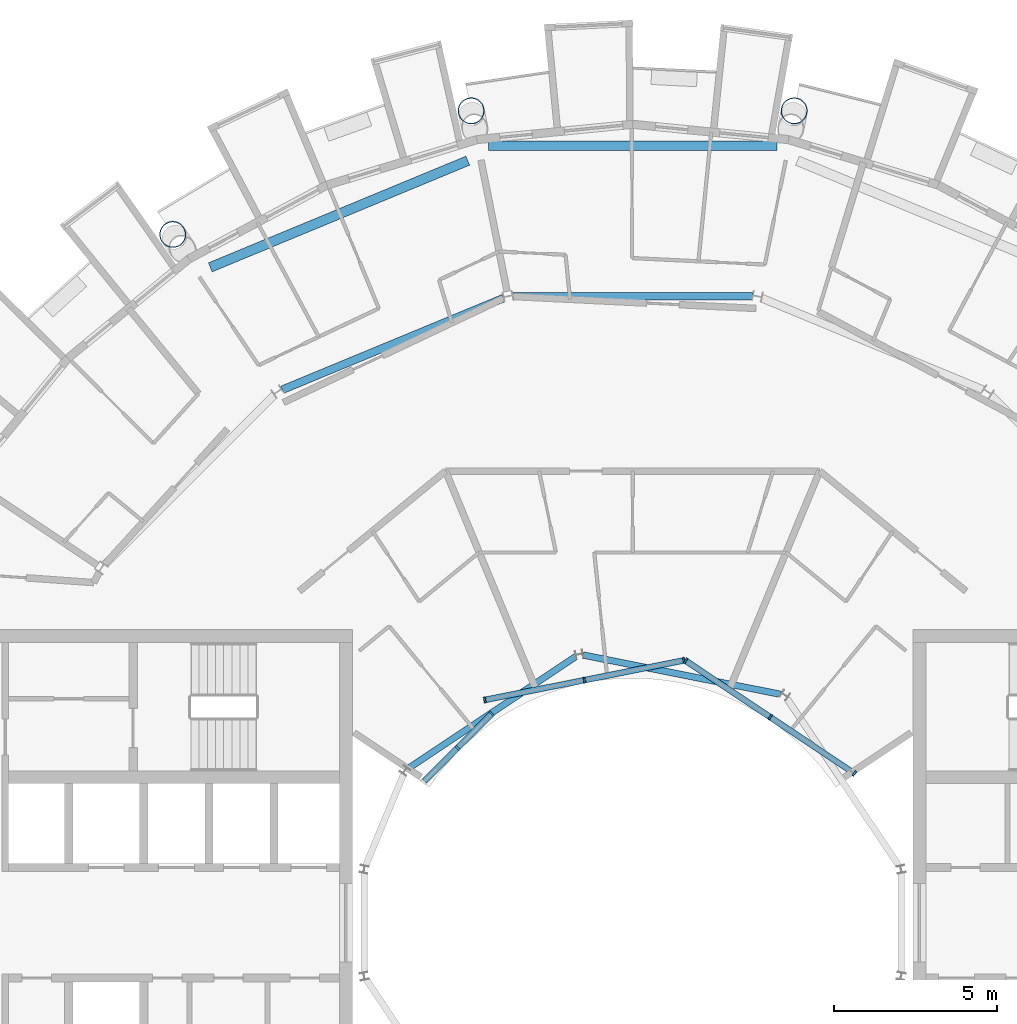
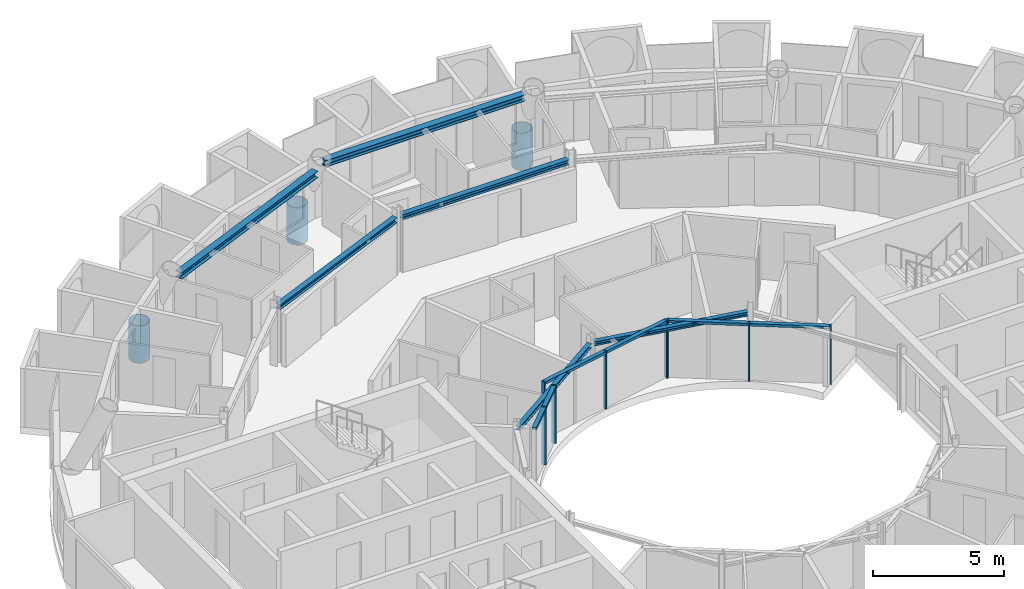
# One storey, part 9 of 27: 17 members, 6 beams, 3 elements without a shape of their own.
"""IFC4 building model written with IfcOpenShell, lengths in metres."""

from ifc_helpers import new_model, si_unit, direction, frame, origin, origin_2d, place, context, subcontext, project, spatial, rectangle, hollow_circle, i_section, extrude, material, layer, layer_set, material_profile, profile_set, type_object, element, aggregate, save


model = new_model("IFC4")

# Units and contexts
model_context = context("Model", 3, precision=1e-05, world=origin(), true_north=direction((0.0, 1.0)))
body_context = subcontext(model_context, "Body", "Model", "MODEL_VIEW")
ifc_project = project(units=[si_unit("LENGTHUNIT", "METRE"), si_unit("AREAUNIT", "SQUARE_METRE"), si_unit("VOLUMEUNIT", "CUBIC_METRE"), si_unit("PLANEANGLEUNIT", "RADIAN"), si_unit("MASSUNIT", "GRAM", prefix="KILO")], contexts=[model_context])

# Site, building, storey
site_placement = place(None, origin())
site = spatial("IfcSite", under=ifc_project, at=site_placement, CompositionType="ELEMENT")
building_placement = place(site_placement, origin())
building = spatial("IfcBuilding", under=site, at=building_placement, Name="Maasbend Ring Residences", CompositionType="ELEMENT")
storey_placement = place(building_placement, frame((0.0, 0.0, 243.199951171875)))
storey = spatial("IfcBuildingStorey", under=building, at=storey_placement, Name="L70", CompositionType="ELEMENT", Elevation=243.199951171875)

# Curtain wall, members
ifc_material_1 = material(Name="Aluminium and clear glass", Category="aluminium")
ifc_layer = layer(ifc_material_1, 0.179931640625)
ifc_layer_set = layer_set([ifc_layer], Name="CW-W")
curtain_wall_type = type_object("IfcCurtainWallType", Name="CW-W", PredefinedType="NOTDEFINED", material=ifc_layer_set)
curtain_wall_1_placement = place(storey_placement, origin())
curtain_wall_1 = element("IfcCurtainWall", 1, at=curtain_wall_1_placement, inside=storey, type_object=curtain_wall_type, Name="Well curtain wall N1", PredefinedType="NOTDEFINED")
ifc_material_2 = material(Name="Aluminium 6063-T6", Category="aluminium")
ifc_material_profile_1 = material_profile(ifc_material_2, rectangle(XDim=0.179931640625, YDim=0.06005859375, at=origin_2d()), Name="AL 180x60")
ifc_profile_set_1 = profile_set([ifc_material_profile_1], Name="Aluminium 6063-T6")
member_type_1 = type_object("IfcMemberType", Name="CWM-W", PredefinedType="MULLION", material=ifc_profile_set_1)
member_1_placement = place(storey_placement, frame((6.805908203125, 4.580810546875, 0.0), z_axis=(0.0, 0.0, 1.0), x_axis=(-0.55557023302, -0.831469612303, 0.0)))
member_1 = element("IfcMember", 2, at=member_1_placement, type_object=member_type_1, Name="Mullion well face", PredefinedType="MULLION", context=body_context, shape_type="SweptSolid", body=[
    extrude(rectangle(XDim=0.179931640625, YDim=0.06005859375, at=origin_2d()), origin(), (0.0, 0.0, 1.0), 2.699951171875),
])
member_2_placement = place(storey_placement, frame((4.216796875, 6.310791015625, 0.0), z_axis=(0.0, 0.0, 1.0), x_axis=(-0.55557023302, -0.831469612303, 0.0)))
member_2 = element("IfcMember", 3, at=member_2_placement, type_object=member_type_1, Name="Mullion well face", PredefinedType="MULLION", context=body_context, shape_type="SweptSolid", body=[
    extrude(rectangle(XDim=0.179931640625, YDim=0.06005859375, at=origin_2d()), origin(), (0.0, 0.0, 1.0), 2.699951171875),
])
member_3_placement = place(storey_placement, frame((1.627685546875, 8.040771484375, 0.0), z_axis=(0.0, 0.0, 1.0), x_axis=(-0.55557023302, -0.831469612303, 0.0)))
member_3 = element("IfcMember", 4, at=member_3_placement, type_object=member_type_1, Name="Mullion well face", PredefinedType="MULLION", context=body_context, shape_type="SweptSolid", body=[
    extrude(rectangle(XDim=0.179931640625, YDim=0.06005859375, at=origin_2d()), origin(), (0.0, 0.0, 1.0), 2.699951171875),
])

curtain_wall_2_placement = place(storey_placement, origin())
curtain_wall_2 = element("IfcCurtainWall", 5, at=curtain_wall_2_placement, inside=storey, type_object=curtain_wall_type, Name="Well curtain wall N2", PredefinedType="NOTDEFINED")
member_4_placement = place(storey_placement, frame((1.5732421875, 8.0517578125, 0.0), z_axis=(0.0, 0.0, 1.0), x_axis=(0.195090322016, -0.980785280403, 0.0)))
member_4 = element("IfcMember", 6, at=member_4_placement, type_object=member_type_1, Name="Mullion well face", PredefinedType="MULLION", context=body_context, shape_type="SweptSolid", body=[
    extrude(rectangle(XDim=0.179931640625, YDim=0.06005859375, at=origin_2d()), origin(), (0.0, 0.0, 1.0), 2.699951171875),
])
member_5_placement = place(storey_placement, frame((-1.480712890625, 7.444091796875, 0.0), z_axis=(0.0, 0.0, 1.0), x_axis=(0.195090322016, -0.980785280403, 0.0)))
member_5 = element("IfcMember", 7, at=member_5_placement, type_object=member_type_1, Name="Mullion well face", PredefinedType="MULLION", context=body_context, shape_type="SweptSolid", body=[
    extrude(rectangle(XDim=0.179931640625, YDim=0.06005859375, at=origin_2d()), origin(), (0.0, 0.0, 1.0), 2.699951171875),
])
member_6_placement = place(storey_placement, frame((-4.53466796875, 6.836669921875, 0.0), z_axis=(0.0, 0.0, 1.0), x_axis=(0.195090322016, -0.980785280403, 0.0)))
member_6 = element("IfcMember", 8, at=member_6_placement, type_object=member_type_1, Name="Mullion well face", PredefinedType="MULLION", context=body_context, shape_type="SweptSolid", body=[
    extrude(rectangle(XDim=0.179931640625, YDim=0.06005859375, at=origin_2d()), origin(), (0.0, 0.0, 1.0), 2.699951171875),
])

curtain_wall_3_placement = place(storey_placement, origin())
curtain_wall_3 = element("IfcCurtainWall", 9, at=curtain_wall_3_placement, inside=storey, type_object=curtain_wall_type, Name="Well curtain wall N3", PredefinedType="NOTDEFINED")
member_7_placement = place(storey_placement, frame((-4.320556640625, 6.413330078125, 0.0), z_axis=(0.0, 0.0, 1.0), x_axis=(0.707106781187, -0.707106781187, 0.0)))
member_7 = element("IfcMember", 10, at=member_7_placement, type_object=member_type_1, Name="Mullion well face", PredefinedType="MULLION", context=body_context, shape_type="SweptSolid", body=[
    extrude(rectangle(XDim=0.179931640625, YDim=0.06005859375, at=origin_2d()), origin(), (0.0, 0.0, 1.0), 2.699951171875),
])
member_8_placement = place(storey_placement, frame((-5.366943359375, 5.366943359375, 0.0), z_axis=(0.0, 0.0, 1.0), x_axis=(0.707106781187, -0.707106781187, 0.0)))
member_8 = element("IfcMember", 11, at=member_8_placement, type_object=member_type_1, Name="Mullion well face", PredefinedType="MULLION", context=body_context, shape_type="SweptSolid", body=[
    extrude(rectangle(XDim=0.179931640625, YDim=0.06005859375, at=origin_2d()), origin(), (0.0, 0.0, 1.0), 2.699951171875),
])

# Member
ifc_material_3 = material(Name="Aluminium 6063-T6", Category="aluminium")
ifc_material_profile_2 = material_profile(ifc_material_3, rectangle(XDim=0.179931640625, YDim=0.1201171875, at=origin_2d()), Name="AL 180x120")
ifc_profile_set_2 = profile_set([ifc_material_profile_2], Name="Aluminium 6063-T6")
member_type_2 = type_object("IfcMemberType", Name="CWT-W", PredefinedType="USERDEFINED", material=ifc_profile_set_2)
member_9_placement = place(storey_placement, frame((6.781005859375, 4.59765625, 2.64013671875), z_axis=(-0.831496422459, 0.555530106689, 0.0), x_axis=(-0.555530106689, -0.831496422459, 0.0)))
member_9 = element("IfcMember", 12, at=member_9_placement, type_object=member_type_2, Name="Transom well face", ObjectType="TRANSOM", PredefinedType="USERDEFINED", context=body_context, shape_type="SweptSolid", body=[
    extrude(rectangle(XDim=0.179931640625, YDim=0.1201171875, at=origin_2d()), origin(), (0.0, 0.0, 1.0), 3.053955078125),
])

member_10_placement = place(storey_placement, frame((4.19189453125, 6.32763671875, 2.64013671875), z_axis=(-0.831496422459, 0.555530106689, 0.0), x_axis=(-0.555530106689, -0.831496422459, 0.0)))
member_10 = element("IfcMember", 13, at=member_10_placement, type_object=member_type_2, Name="Transom well face", ObjectType="TRANSOM", PredefinedType="USERDEFINED", context=body_context, shape_type="SweptSolid", body=[
    extrude(rectangle(XDim=0.179931640625, YDim=0.1201171875, at=origin_2d()), origin(), (0.0, 0.0, 1.0), 3.053955078125),
])

aggregate(curtain_wall_1, [member_1, member_2, member_3, member_9, member_10])

member_11_placement = place(storey_placement, frame((1.5439453125, 8.0458984375, 2.64013671875), z_axis=(-0.980776956105, -0.195132166424, 0.0), x_axis=(0.195132166424, -0.980776956105, 0.0)))
member_11 = element("IfcMember", 14, at=member_11_placement, type_object=member_type_2, Name="Transom well face", ObjectType="TRANSOM", PredefinedType="USERDEFINED", context=body_context, shape_type="SweptSolid", body=[
    extrude(rectangle(XDim=0.179931640625, YDim=0.1201171875, at=origin_2d()), origin(), (0.0, 0.0, 1.0), 3.053955078125),
])

member_12_placement = place(storey_placement, frame((-1.51025390625, 7.438232421875, 2.64013671875), z_axis=(-0.980789210404, -0.19507056353, 0.0), x_axis=(0.19507056353, -0.980789210404, 0.0)))
member_12 = element("IfcMember", 15, at=member_12_placement, type_object=member_type_2, Name="Transom well face", ObjectType="TRANSOM", PredefinedType="USERDEFINED", context=body_context, shape_type="SweptSolid", body=[
    extrude(rectangle(XDim=0.179931640625, YDim=0.1201171875, at=origin_2d()), origin(), (0.0, 0.0, 1.0), 3.0537109375),
])

aggregate(curtain_wall_2, [member_4, member_5, member_6, member_11, member_12])

member_13_placement = place(storey_placement, frame((-4.341796875, 6.39208984375, 2.64013671875), z_axis=(-0.707106781187, -0.707106781187, 0.0), x_axis=(0.707106781187, -0.707106781187, 0.0)))
member_13 = element("IfcMember", 16, at=member_13_placement, type_object=member_type_2, Name="Transom well face", ObjectType="TRANSOM", PredefinedType="USERDEFINED", context=body_context, shape_type="SweptSolid", body=[
    extrude(rectangle(XDim=0.179931640625, YDim=0.1201171875, at=origin_2d()), origin(), (0.0, 0.0, 1.0), 1.419677734375),
])

member_14_placement = place(storey_placement, frame((-5.38818359375, 5.345703125, 2.64013671875), z_axis=(-0.707106781187, -0.707106781187, 0.0), x_axis=(0.707106781187, -0.707106781187, 0.0)))
member_14 = element("IfcMember", 17, at=member_14_placement, type_object=member_type_2, Name="Transom well face", ObjectType="TRANSOM", PredefinedType="USERDEFINED", context=body_context, shape_type="SweptSolid", body=[
    extrude(rectangle(XDim=0.179931640625, YDim=0.1201171875, at=origin_2d()), origin(), (0.0, 0.0, 1.0), 1.419677734375),
])

aggregate(curtain_wall_3, [member_7, member_8, member_13, member_14])

# Members
ifc_material_4 = material(Name="Steel S460NH", Category="steel")
ifc_material_profile_3 = material_profile(ifc_material_4, hollow_circle(Radius=0.406494140625, WallThickness=0.030029296875, at=origin_2d()), Name="Column node insert CHS 813x30")
ifc_profile_set_3 = profile_set([ifc_material_profile_3], Name="Steel S460NH")
member_type_3 = type_object("IfcMemberType", Name="Column node insert CHS 813x30", PredefinedType="POST", material=ifc_profile_set_3)
for number, where, z_axis, x_axis, name in (
    (18, (4.955322265625, 24.911865234375, -1.5), (0.0, 0.0, 1.0), (1.0, 0.0, 0.0), "Column node insert R4"),
    (19, (-4.955322265625, 24.911865234375, -1.5), (0.0, 0.0, 1.0), (1.0, 0.0, 0.0), "Column node insert R5"),
    (20, (-14.111572265625, 21.119384765625, -1.5), (0.0, 0.0, 1.0), (1.0, 0.0, 0.0), "Column node insert R6"),
):
    element("IfcMember", number, at=place(storey_placement, frame(where, z_axis=z_axis, x_axis=x_axis)), inside=storey, type_object=member_type_3, Name=name, PredefinedType="POST", context=body_context, shape_type="SweptSolid", body=[
        extrude(hollow_circle(Radius=0.406494140625, WallThickness=0.030029296875, at=origin_2d()), origin(), (0.0, 0.0, 1.0), 1.741943359375),
    ])

# Beams
ifc_material_5 = material(Name="Steel S355J2", Category="steel")
ifc_material_profile_4 = material_profile(ifc_material_5, i_section(OverallWidth=0.239990234375, OverallDepth=0.22998046875, WebThickness=0.007568359375, FlangeThickness=0.011962890625, FilletRadius=0.02099609375, at=origin_2d()), Name="HEA 240")
ifc_profile_set_4 = profile_set([ifc_material_profile_4], Name="Steel S355J2")
beam_type_1 = type_object("IfcBeamType", Name="Corridor ring beam HEA 240", PredefinedType="BEAM", material=ifc_profile_set_4)
beam_1_placement = place(storey_placement, frame((3.6708984375, 19.223388671875, 2.5849609375), z_axis=(-1.0, 0.0, 0.0), x_axis=(0.0, -1.0, 0.0)))
element("IfcBeam", 21, at=beam_1_placement, inside=storey, type_object=beam_type_1, Name="Corridor ring beam", PredefinedType="BEAM", context=body_context, shape_type="SweptSolid", body=[
    extrude(i_section(OverallWidth=0.239990234375, OverallDepth=0.22998046875, WebThickness=0.007568359375, FlangeThickness=0.011962890625, FilletRadius=0.02099609375, at=origin_2d()), origin(), (0.0, 0.0, 1.0), 7.341796875),
])
beam_2_placement = place(storey_placement, frame((-3.965087890625, 19.164794921875, 2.5849609375), z_axis=(-0.923875784142, -0.382692481603, 0.0), x_axis=(0.382692481603, -0.923875784142, 0.0)))
element("IfcBeam", 22, at=beam_2_placement, inside=storey, type_object=beam_type_1, Name="Corridor ring beam", PredefinedType="BEAM", context=body_context, shape_type="SweptSolid", body=[
    extrude(i_section(OverallWidth=0.239990234375, OverallDepth=0.22998046875, WebThickness=0.007568359375, FlangeThickness=0.011962890625, FilletRadius=0.02099609375, at=origin_2d()), origin(), (0.0, 0.0, 1.0), 7.341552734375),
])
ifc_material_6 = material(Name="Steel S355J2", Category="steel")
ifc_material_profile_5 = material_profile(ifc_material_6, i_section(OverallWidth=0.300048828125, OverallDepth=0.300048828125, WebThickness=0.010986328125, FlangeThickness=0.01904296875, FilletRadius=0.027099609375, at=origin_2d()), Name="HEB 300")
ifc_profile_set_5 = profile_set([ifc_material_profile_5], Name="Steel S355J2")
beam_type_2 = type_object("IfcBeamType", Name="Spandrel ring beam HEB 300", PredefinedType="SPANDREL", material=ifc_profile_set_5)
beam_3_placement = place(storey_placement, frame((4.42578125, 23.8388671875, 2.550048828125), z_axis=(-1.0, 0.0, 0.0), x_axis=(0.0, -1.0, 0.0)))
element("IfcBeam", 23, at=beam_3_placement, inside=storey, type_object=beam_type_2, Name="Spandrel ring beam", PredefinedType="SPANDREL", context=body_context, shape_type="SweptSolid", body=[
    extrude(i_section(OverallWidth=0.300048828125, OverallDepth=0.300048828125, WebThickness=0.010986328125, FlangeThickness=0.01904296875, FilletRadius=0.027099609375, at=origin_2d()), origin(), (0.0, 0.0, 1.0), 8.8515625),
])
beam_4_placement = place(storey_placement, frame((-5.057861328125, 23.38330078125, 2.550048828125), z_axis=(-0.923874855432, -0.382694723638, 0.0), x_axis=(0.382694723638, -0.923874855432, 0.0)))
element("IfcBeam", 24, at=beam_4_placement, inside=storey, type_object=beam_type_2, Name="Spandrel ring beam", PredefinedType="SPANDREL", context=body_context, shape_type="SweptSolid", body=[
    extrude(i_section(OverallWidth=0.300048828125, OverallDepth=0.300048828125, WebThickness=0.010986328125, FlangeThickness=0.01904296875, FilletRadius=0.027099609375, at=origin_2d()), origin(), (0.0, 0.0, 1.0), 8.551025390625),
])
ifc_material_7 = material(Name="Steel S355J2", Category="steel")
ifc_material_profile_6 = material_profile(ifc_material_7, i_section(OverallWidth=0.199951171875, OverallDepth=0.18994140625, WebThickness=0.006591796875, FlangeThickness=0.010009765625, FilletRadius=0.01806640625, at=origin_2d()), Name="HEA 200")
ifc_profile_set_6 = profile_set([ifc_material_profile_6], Name="Steel S355J2")
beam_type_3 = type_object("IfcBeamType", Name="Well edge beam HEA 200", PredefinedType="BEAM", material=ifc_profile_set_6)
for number, where, z_axis, x_axis, name in (
    (25, (4.544677734375, 7.008544921875, 2.60498046875), (-0.98078072474, 0.195113223486, 0.0), (-0.195113223486, -0.98078072474, 0.0), "Well edge beam"),
    (26, (-1.7421875, 8.16943359375, 2.60498046875), (-0.831484648286, -0.555547729421, 0.0), (0.555547729421, -0.831484648286, 0.0), "Well edge beam"),
):
    element("IfcBeam", number, at=place(storey_placement, frame(where, z_axis=z_axis, x_axis=x_axis)), inside=storey, type_object=beam_type_3, Name=name, PredefinedType="BEAM", context=body_context, shape_type="SweptSolid", body=[
        extrude(i_section(OverallWidth=0.199951171875, OverallDepth=0.18994140625, WebThickness=0.006591796875, FlangeThickness=0.010009765625, FilletRadius=0.01806640625, at=origin_2d()), origin(), (0.0, 0.0, 1.0), 6.18017578125),
    ])

save(model, "model.ifc")
